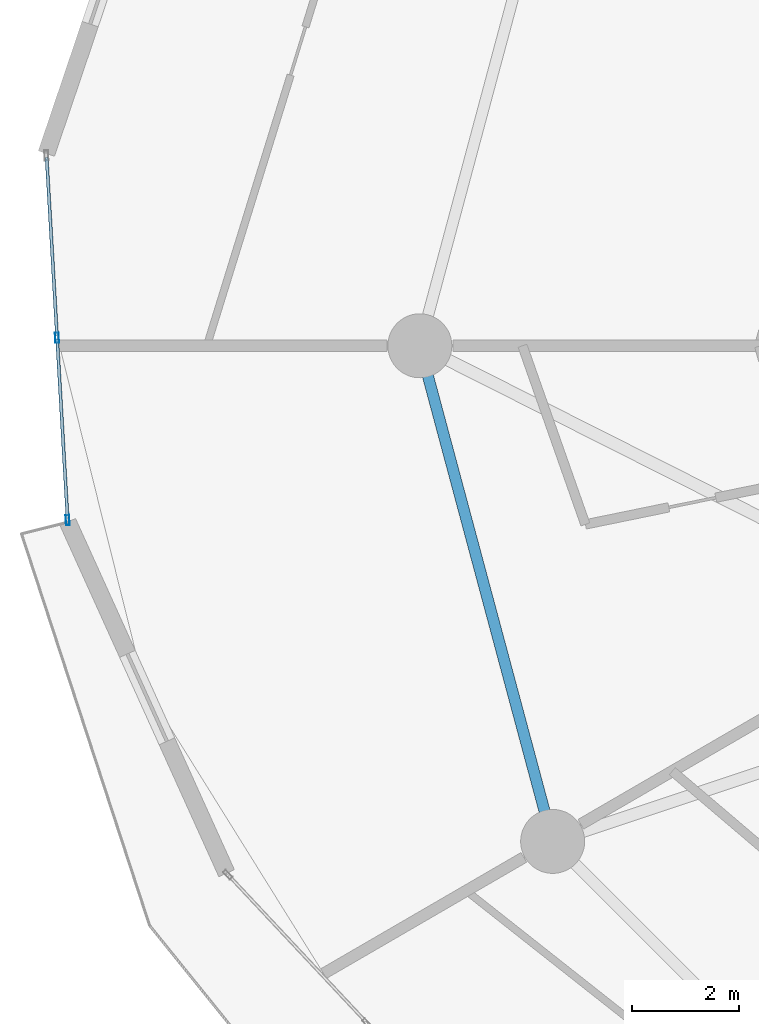
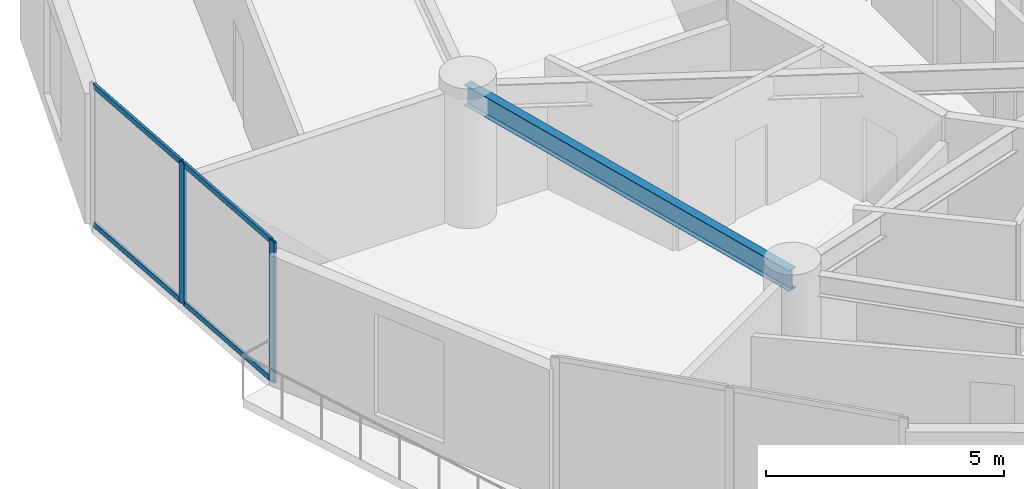
# One storey, part 4 of 23: 6 members, 1 beam, 1 element without a shape of its own.
"""IFC4 building model written with IfcOpenShell, lengths in metres."""

from ifc_helpers import new_model, si_unit, direction, frame, origin, origin_2d, place, context, subcontext, project, spatial, hollow_rectangle, i_section, extrude, source, transform, mapped, material, layer, layer_set, material_profile, profile_set, type_object, element, aggregate, save


model = new_model("IFC4")

# Units and contexts
model_context = context("Model", 3, precision=1e-05, world=origin(), true_north=direction((0.0, 1.0)))
body_context = subcontext(model_context, "Body", "Model", "MODEL_VIEW")
ifc_project = project(units=[si_unit("LENGTHUNIT", "METRE"), si_unit("AREAUNIT", "SQUARE_METRE"), si_unit("VOLUMEUNIT", "CUBIC_METRE"), si_unit("PLANEANGLEUNIT", "RADIAN"), si_unit("MASSUNIT", "GRAM", prefix="KILO")], contexts=[model_context])

# Site, building, storey
site_placement = place(None, origin())
site = spatial("IfcSite", under=ifc_project, at=site_placement, CompositionType="ELEMENT")
building_placement = place(site_placement, origin())
building = spatial("IfcBuilding", under=site, at=building_placement, Name="Solvirekh Grand Hotel", CompositionType="ELEMENT")
storey_placement = place(building_placement, frame((0.0, 0.0, 39.199951171875)))
storey = spatial("IfcBuildingStorey", under=building, at=storey_placement, Name="L08", CompositionType="ELEMENT", Elevation=39.199951171875)

# Beam
ifc_material_1 = material(Name="Steel S355", Category="steel")
ifc_material_profile_1 = material_profile(ifc_material_1, i_section(OverallWidth=0.208984375, OverallDepth=0.532958984375, WebThickness=0.010009765625, FlangeThickness=0.014892578125, FilletRadius=0.013916015625, at=origin_2d()), Name="W530X92")
ifc_profile_set_1 = profile_set([ifc_material_profile_1], Name="Steel S355")
beam_type = type_object("IfcBeamType", Name="Spandrel_Ring_W530", PredefinedType="SPANDREL", material=ifc_profile_set_1)
beam_placement = place(storey_placement, frame((-18.60009765625, 0.0, 3.072998046875), z_axis=(0.258842973314, -0.965919414426, 0.0), x_axis=(0.965919414426, 0.258842973314, 0.0)))
element("IfcBeam", 1, at=beam_placement, inside=storey, type_object=beam_type, Name="L08 perimeter spandrel beam 7", PredefinedType="SPANDREL", context=body_context, shape_type="SweptSolid", body=[
    extrude(i_section(OverallWidth=0.208984375, OverallDepth=0.532958984375, WebThickness=0.010009765625, FlangeThickness=0.014892578125, FilletRadius=0.013916015625, at=origin_2d()), origin(), (0.0, 0.0, 1.0), 9.628173828125),
])

# Curtain wall, members
ifc_material_2 = material(Name="Anodized Bronze Aluminium 6063-T6", Category="aluminium")
ifc_layer = layer(ifc_material_2, 0.18994140625)
ifc_layer_set = layer_set([ifc_layer], Name="Anodized Bronze Aluminium 6063-T6")
curtain_wall_type = type_object("IfcCurtainWallType", Name="CW_Sys2_LowZoneFlushBronzeCW", PredefinedType="NOTDEFINED", material=ifc_layer_set)
curtain_wall_placement = place(storey_placement, origin())
curtain_wall = element("IfcCurtainWall", 2, at=curtain_wall_placement, inside=storey, type_object=curtain_wall_type, Name="L08 unitised bronze-glass curtain wall CW-L08-C11", PredefinedType="NOTDEFINED")
ifc_material_profile_2 = material_profile(ifc_material_2, hollow_rectangle(XDim=0.070068359375, YDim=0.18994140625, WallThickness=0.0048828125, at=origin_2d()), Name="ALU RHS 190X70X5")
ifc_profile_set_2 = profile_set([ifc_material_profile_2], Name="Anodized Bronze Aluminium 6063-T6")
member_type_1 = type_object("IfcMemberType", Name="CWMullion_Sys2", PredefinedType="MULLION", material=ifc_profile_set_2)
shared_shape_1 = source(origin(), body_context, "Body", "SweptSolid", [
    extrude(hollow_rectangle(XDim=0.070068359375, YDim=0.18994140625, WallThickness=0.0048828125, at=origin_2d()), origin(), (0.0, 0.0, 1.0), 3.60009765625),
])
member_1_placement = place(storey_placement, frame((-25.407470703125, 0.15087890625, 0.0), z_axis=(0.0, 0.0, 1.0), x_axis=(0.998322331982, 0.057900962564, 0.0)))
member_1 = element("IfcMember", 3, at=member_1_placement, type_object=member_type_1, Name="U02 mullion 2", PredefinedType="MULLION", context=body_context, shape_type="MappedRepresentation", body=[
    mapped(shared_shape_1, transform((0.0, 0.0, 0.0), x_axis=(1.0, 0.0, 0.0), y_axis=(0.0, 1.0, 0.0), z_axis=(0.0, 0.0, 1.0), scale=1.0)),
])
member_2_placement = place(storey_placement, frame((-25.208984375, -3.27099609375, 0.0), z_axis=(0.0, 0.0, 1.0), x_axis=(0.998322331982, 0.057900962564, 0.0)))
member_2 = element("IfcMember", 4, at=member_2_placement, type_object=member_type_1, Name="U02 mullion 3", PredefinedType="MULLION", context=body_context, shape_type="MappedRepresentation", body=[
    mapped(shared_shape_1, transform((0.0, 0.0, 0.0), x_axis=(1.0, 0.0, 0.0), y_axis=(0.0, 1.0, 0.0), z_axis=(0.0, 0.0, 1.0), scale=1.0)),
])
ifc_material_profile_3 = material_profile(ifc_material_2, hollow_rectangle(XDim=0.06005859375, YDim=0.135009765625, WallThickness=0.00390625, at=origin_2d()), Name="ALU RHS 135X60X4")
ifc_profile_set_3 = profile_set([ifc_material_profile_3], Name="Anodized Bronze Aluminium 6063-T6")
member_type_2 = type_object("IfcMemberType", Name="CWTransom_Sys2", PredefinedType="USERDEFINED", material=ifc_profile_set_3)
shared_shape_2 = source(origin(), body_context, "Body", "SweptSolid", [
    extrude(hollow_rectangle(XDim=0.06005859375, YDim=0.135009765625, WallThickness=0.00390625, at=origin_2d()), origin(), (0.0, 0.0, 1.0), 3.357666015625),
])
member_3_placement = place(storey_placement, frame((-25.60400390625, 3.5380859375, 0.030029296875), z_axis=(0.057950517621, -0.998319456641, 0.0), x_axis=(0.998319456641, 0.057950517621, 0.0)))
member_3 = element("IfcMember", 5, at=member_3_placement, type_object=member_type_2, Name="U02 transom 1.1", ObjectType="TRANSOM", PredefinedType="USERDEFINED", context=body_context, shape_type="MappedRepresentation", body=[
    mapped(shared_shape_2, transform((0.0, 0.0, 0.0), x_axis=(1.0, 0.0, 0.0), y_axis=(0.0, 1.0, 0.0), z_axis=(0.0, 0.0, 1.0), scale=1.0)),
])
member_4_placement = place(storey_placement, frame((-25.60400390625, 3.5380859375, 3.570068359375), z_axis=(0.057950517621, -0.998319456641, 0.0), x_axis=(0.998319456641, 0.057950517621, 0.0)))
member_4 = element("IfcMember", 6, at=member_4_placement, type_object=member_type_2, Name="U02 transom 1.2", ObjectType="TRANSOM", PredefinedType="USERDEFINED", context=body_context, shape_type="MappedRepresentation", body=[
    mapped(shared_shape_2, transform((0.0, 0.0, 0.0), x_axis=(1.0, 0.0, 0.0), y_axis=(0.0, 1.0, 0.0), z_axis=(0.0, 0.0, 1.0), scale=1.0)),
])
member_5_placement = place(storey_placement, frame((-25.405517578125, 0.115966796875, 0.030029296875), z_axis=(0.057950517621, -0.998319456641, 0.0), x_axis=(0.998319456641, 0.057950517621, 0.0)))
member_5 = element("IfcMember", 7, at=member_5_placement, type_object=member_type_2, Name="U02 transom 2.1", ObjectType="TRANSOM", PredefinedType="USERDEFINED", context=body_context, shape_type="MappedRepresentation", body=[
    mapped(shared_shape_2, transform((0.0, 0.0, 0.0), x_axis=(1.0, 0.0, 0.0), y_axis=(0.0, 1.0, 0.0), z_axis=(0.0, 0.0, 1.0), scale=1.0)),
])
member_6_placement = place(storey_placement, frame((-25.405517578125, 0.115966796875, 3.570068359375), z_axis=(0.057950517621, -0.998319456641, 0.0), x_axis=(0.998319456641, 0.057950517621, 0.0)))
member_6 = element("IfcMember", 8, at=member_6_placement, type_object=member_type_2, Name="U02 transom 2.2", ObjectType="TRANSOM", PredefinedType="USERDEFINED", context=body_context, shape_type="MappedRepresentation", body=[
    mapped(shared_shape_2, transform((0.0, 0.0, 0.0), x_axis=(1.0, 0.0, 0.0), y_axis=(0.0, 1.0, 0.0), z_axis=(0.0, 0.0, 1.0), scale=1.0)),
])
aggregate(curtain_wall, [member_1, member_2, member_3, member_4, member_5, member_6])

save(model, "model.ifc")
